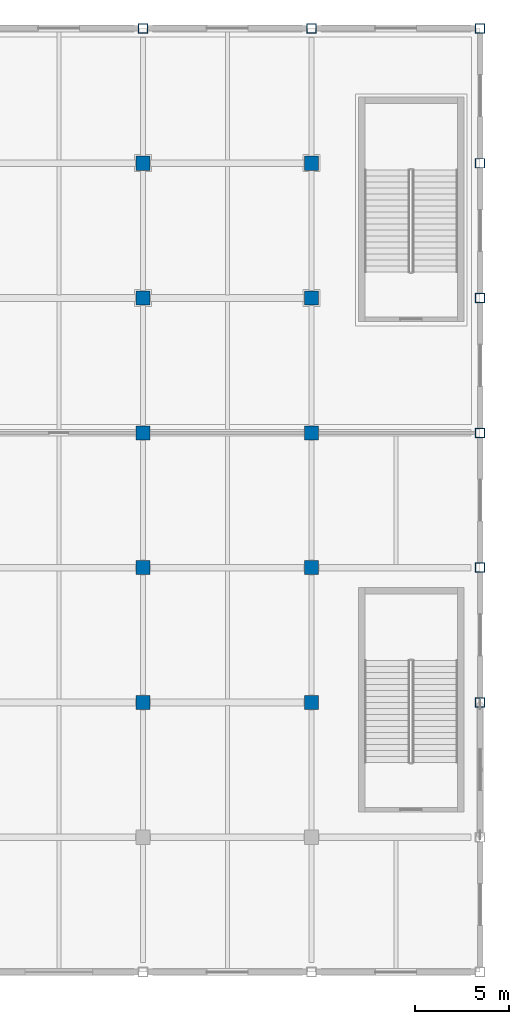
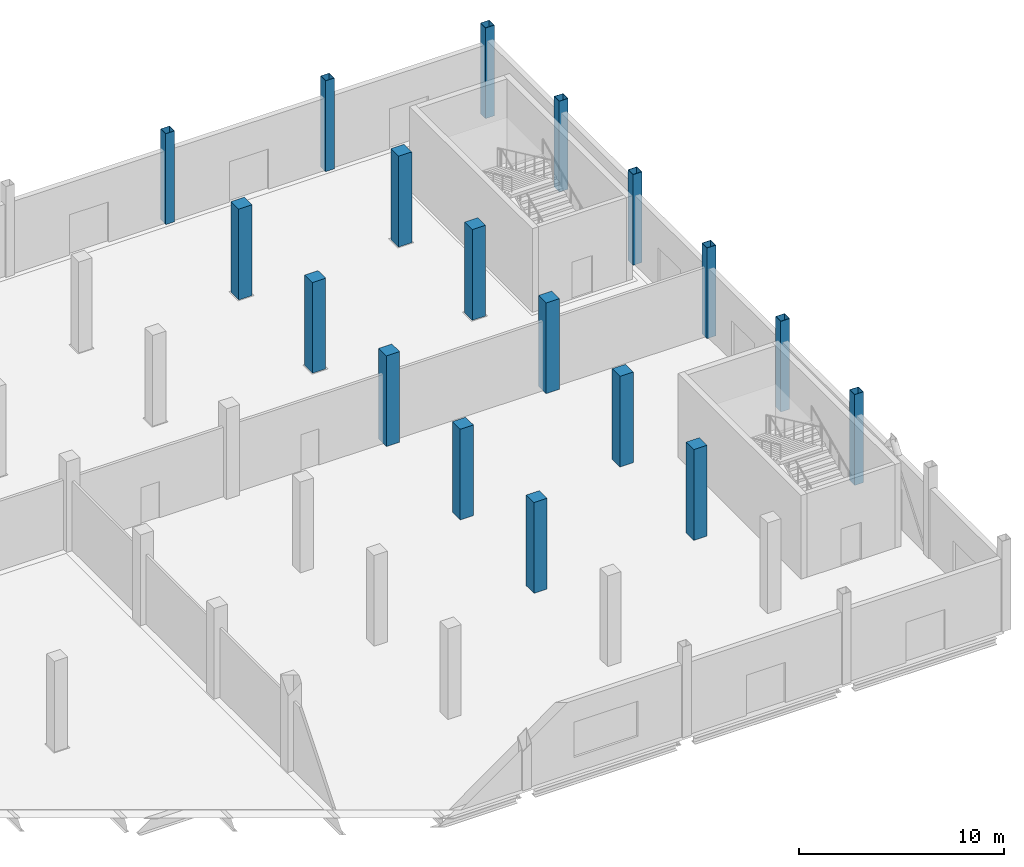
# One storey, part 16 of 137: 18 columns.
"""IFC4 building model written with IfcOpenShell, lengths in metres."""

from ifc_helpers import new_model, si_unit, direction, frame, origin, origin_2d, place, context, subcontext, project, spatial, rectangle, hollow_rectangle, extrude, material, material_profile, profile_set, type_object, element, save


model = new_model("IFC4")

# Units and contexts
model_context = context("Model", 3, precision=1e-05, world=origin(), true_north=direction((0.0, 1.0)))
body_context = subcontext(model_context, "Body", "Model", "MODEL_VIEW")
ifc_project = project(units=[si_unit("LENGTHUNIT", "METRE"), si_unit("AREAUNIT", "SQUARE_METRE"), si_unit("VOLUMEUNIT", "CUBIC_METRE"), si_unit("PLANEANGLEUNIT", "RADIAN"), si_unit("MASSUNIT", "GRAM", prefix="KILO")], contexts=[model_context])

# Site, building, storey
site_placement = place(None, origin())
site = spatial("IfcSite", under=ifc_project, at=site_placement, CompositionType="ELEMENT")
building_placement = place(site_placement, origin())
building = spatial("IfcBuilding", under=site, at=building_placement, Name="Celestram Park Convention Centre", CompositionType="ELEMENT")
storey_placement = place(building_placement, origin())
storey = spatial("IfcBuildingStorey", under=building, at=storey_placement, Name="L00", CompositionType="ELEMENT", Elevation=0.0)

# Columns
ifc_material_1 = material(Name="Steel ASTM A500 Grade C", Category="steel")
ifc_material_profile_1 = material_profile(ifc_material_1, hollow_rectangle(XDim=0.5, YDim=0.5, WallThickness=0.02001953125, at=origin_2d()), Name="HSS500X500X20")
ifc_profile_set_1 = profile_set([ifc_material_profile_1], Name="Steel ASTM A500 Grade C")
column_type_1 = type_object("IfcColumnType", Name="STR-COL-HSS500", PredefinedType="COLUMN", material=ifc_profile_set_1)
for number, where, z_axis, x_axis, name in (
    (1, (198.0, 165.60009765625, 0.0), (0.0, 0.0, 1.0), (1.0, 0.0, 0.0), "Column CN-L00-319"),
    (2, (207.0, 165.60009765625, 0.0), (0.0, 0.0, 1.0), (1.0, 0.0, 0.0), "Column CN-L00-333"),
    (3, (216.0, 129.60009765625, 0.0), (0.0, 0.0, 1.0), (1.0, 0.0, 0.0), "Column CN-L00-342"),
    (4, (216.0, 136.800048828125, 0.0), (0.0, 0.0, 1.0), (1.0, 0.0, 0.0), "Column CN-L00-343"),
    (5, (216.0, 144.0, 0.0), (0.0, 0.0, 1.0), (1.0, 0.0, 0.0), "Column CN-L00-344"),
    (6, (216.0, 151.199951171875, 0.0), (0.0, 0.0, 1.0), (1.0, 0.0, 0.0), "Column CN-L00-345"),
    (7, (216.0, 158.39990234375, 0.0), (0.0, 0.0, 1.0), (1.0, 0.0, 0.0), "Column CN-L00-346"),
    (8, (216.0, 165.60009765625, 0.0), (0.0, 0.0, 1.0), (1.0, 0.0, 0.0), "Column CN-L00-347"),
):
    element("IfcColumn", number, at=place(storey_placement, frame(where, z_axis=z_axis, x_axis=x_axis)), inside=storey, type_object=column_type_1, Name=name, PredefinedType="COLUMN", context=body_context, shape_type="SweptSolid", body=[
        extrude(hollow_rectangle(XDim=0.5, YDim=0.5, WallThickness=0.02001953125, at=origin_2d()), origin(), (0.0, 0.0, 1.0), 5.39990234375),
    ])
ifc_material_2 = material(Name="Concrete C40/50", Category="concrete")
ifc_material_profile_2 = material_profile(ifc_material_2, rectangle(XDim=0.75, YDim=0.75, at=origin_2d()), Name="RC750X750")
ifc_profile_set_2 = profile_set([ifc_material_profile_2], Name="Concrete C40/50")
column_type_2 = type_object("IfcColumnType", Name="STR-COL-RC750", PredefinedType="COLUMN", material=ifc_profile_set_2)
for number, where, z_axis, x_axis, name in (
    (9, (198.0, 129.60009765625, 0.0), (0.0, 0.0, 1.0), (1.0, 0.0, 0.0), "Column CN-L00-314"),
    (10, (198.0, 136.800048828125, 0.0), (0.0, 0.0, 1.0), (1.0, 0.0, 0.0), "Column CN-L00-315"),
    (11, (198.0, 144.0, 0.0), (0.0, 0.0, 1.0), (1.0, 0.0, 0.0), "Column CN-L00-316"),
    (12, (198.0, 151.199951171875, 0.0), (0.0, 0.0, 1.0), (1.0, 0.0, 0.0), "Column CN-L00-317"),
    (13, (198.0, 158.39990234375, 0.0), (0.0, 0.0, 1.0), (1.0, 0.0, 0.0), "Column CN-L00-318"),
    (14, (207.0, 129.60009765625, 0.0), (0.0, 0.0, 1.0), (1.0, 0.0, 0.0), "Column CN-L00-328"),
    (15, (207.0, 136.800048828125, 0.0), (0.0, 0.0, 1.0), (1.0, 0.0, 0.0), "Column CN-L00-329"),
    (16, (207.0, 144.0, 0.0), (0.0, 0.0, 1.0), (1.0, 0.0, 0.0), "Column CN-L00-330"),
    (17, (207.0, 151.199951171875, 0.0), (0.0, 0.0, 1.0), (1.0, 0.0, 0.0), "Column CN-L00-331"),
    (18, (207.0, 158.39990234375, 0.0), (0.0, 0.0, 1.0), (1.0, 0.0, 0.0), "Column CN-L00-332"),
):
    element("IfcColumn", number, at=place(storey_placement, frame(where, z_axis=z_axis, x_axis=x_axis)), inside=storey, type_object=column_type_2, Name=name, PredefinedType="COLUMN", context=body_context, shape_type="SweptSolid", body=[
        extrude(rectangle(XDim=0.75, YDim=0.75, at=origin_2d()), origin(), (0.0, 0.0, 1.0), 5.39990234375),
    ])

save(model, "model.ifc")
